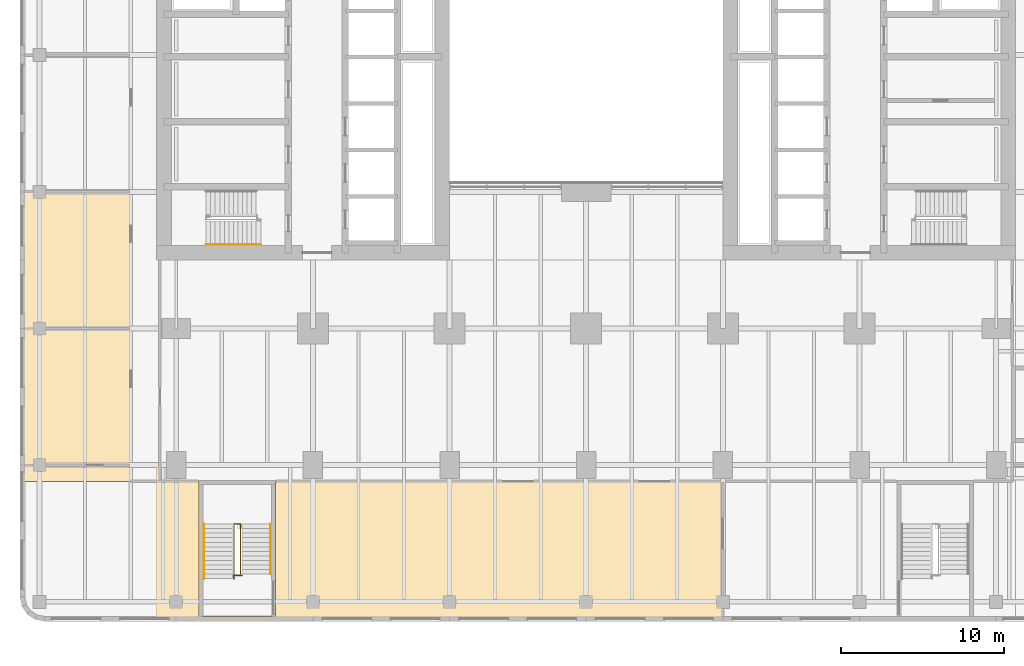
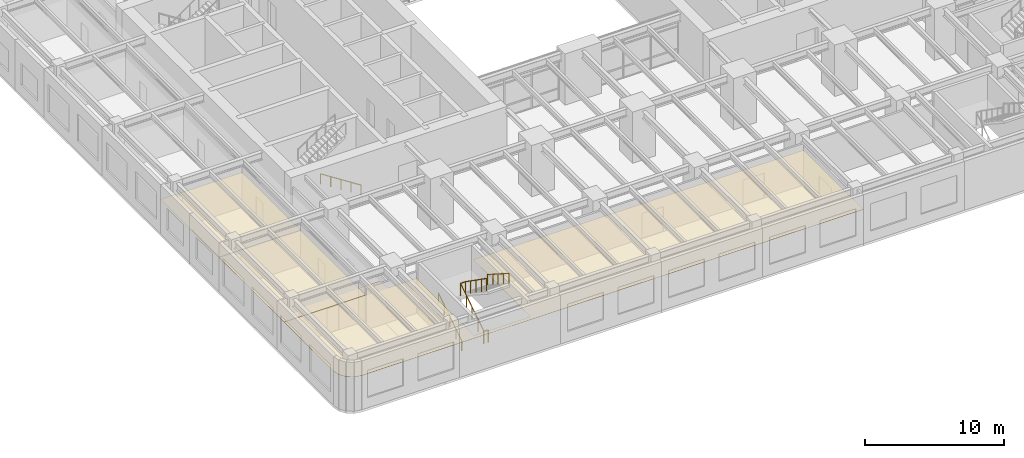
# One storey, part 17 of 26: 5 railings, 3 coverings.
"""IFC4 building model written with IfcOpenShell, lengths in metres."""

from ifc_helpers import new_model, si_unit, direction, frame, origin, origin_2d, place, context, subcontext, project, spatial, polyline, circle, outline, extrude, material, layer, layer_set, type_object, element, save


model = new_model("IFC4")

# Units and contexts
model_context = context("Model", 3, precision=1e-05, world=origin(), true_north=direction((0.0, 1.0)))
body_context = subcontext(model_context, "Body", "Model", "MODEL_VIEW")
ifc_project = project(units=[si_unit("LENGTHUNIT", "METRE"), si_unit("AREAUNIT", "SQUARE_METRE"), si_unit("VOLUMEUNIT", "CUBIC_METRE"), si_unit("PLANEANGLEUNIT", "RADIAN"), si_unit("MASSUNIT", "GRAM", prefix="KILO")], contexts=[model_context])

# Site, building, storey
site_placement = place(None, origin())
site = spatial("IfcSite", under=ifc_project, at=site_placement, CompositionType="ELEMENT")
building_placement = place(site_placement, origin())
building = spatial("IfcBuilding", under=site, at=building_placement, Name="Claustro Exchange Tower", CompositionType="ELEMENT")
storey_placement = place(building_placement, frame((0.0, 0.0, 9.89990234375)))
storey = spatial("IfcBuildingStorey", under=building, at=storey_placement, Name="L02", CompositionType="ELEMENT", Elevation=9.89990234375)

# Coverings
ifc_material_1 = material(Name="Gypsum board ceiling", Category="gypsum board")
ifc_layer = layer(ifc_material_1, 0.02490234375)
ifc_layer_set = layer_set([ifc_layer], Name="Gypsum board ceiling")
covering_type = type_object("IfcCoveringType", Name="CL2 plasterboard ceiling", PredefinedType="CEILING", material=ifc_layer_set)
covering_1_placement = place(storey_placement, frame((0.0, 0.0, 3.0)))
element("IfcCovering", 1, at=covering_1_placement, inside=storey, type_object=covering_type, Name="Ceiling CL2 L02-01", PredefinedType="CEILING", context=body_context, shape_type="SweptSolid", body=[
    extrude(outline(polyline([(-8.10009765625, -9.60009765625), (33.60009765625, -9.60009765625), (33.60009765625, -1.0), (6.10009765625, -1.0), (6.10009765625, -9.280029296875), (1.39990234375, -9.280029296875), (1.39990234375, -1.0), (-1.0, -1.0), (-1.0, 0.0), (-2.800048828125, 0.0), (-2.800048828125, -1.0), (-9.60009765625, -1.0), (-9.60009765625, -8.10009765625), (-9.48583984375, -8.674072265625), (-9.16064453125, -9.16064453125), (-8.674072265625, -9.48583984375), (-8.10009765625, -9.60009765625)])), origin(), (0.0, 0.0, 1.0), 0.025146484375),
])
covering_2_placement = place(storey_placement, frame((0.0, 0.0, 3.0)))
element("IfcCovering", 2, at=covering_2_placement, inside=storey, type_object=covering_type, Name="Ceiling CL2 L02-05", PredefinedType="CEILING", context=body_context, shape_type="SweptSolid", body=[
    extrude(outline(polyline([(-9.60009765625, 8.39990234375), (-9.60009765625, -1.0), (-2.800048828125, -1.0), (-2.800048828125, 8.39990234375), (-9.60009765625, 8.39990234375)])), origin(), (0.0, 0.0, 1.0), 0.025146484375),
])
covering_3_placement = place(storey_placement, frame((0.0, 0.0, 3.0)))
element("IfcCovering", 3, at=covering_3_placement, inside=storey, type_object=covering_type, Name="Ceiling CL2 L02-08", PredefinedType="CEILING", context=body_context, shape_type="SweptSolid", body=[
    extrude(outline(polyline([(-9.60009765625, 16.800048828125), (-9.60009765625, 8.39990234375), (-2.800048828125, 8.39990234375), (-2.800048828125, 16.800048828125), (-9.60009765625, 16.800048828125)])), origin(), (0.0, 0.0, 1.0), 0.025146484375),
])

# Railings
ifc_material_2 = material(Name="Steel balustrade, painted", Category="steel")
railing_type_1 = type_object("IfcRailingType", Name="GR2 1100 steel stair guard", PredefinedType="GUARDRAIL", material=ifc_material_2)
railing_1_placement = place(storey_placement, frame((3.550048828125, -6.97998046875, 0.18017578125)))
element("IfcRailing", 4, at=railing_1_placement, inside=storey, type_object=railing_type_1, Name="Stair well guard GR2 stair STP1 L02", PredefinedType="GUARDRAIL", context=body_context, shape_type="SweptSolid", body=[
    extrude(circle(Radius=0.02392578125, at=origin_2d()), frame((0.0, 0.0, 1.076171875), z_axis=(0.0, 0.841178475377, 0.540757591313), x_axis=(-1.0, 0.0, 0.0)), (0.0, 0.0, 1.0), 3.994140625),
    extrude(circle(Radius=0.02392578125, at=origin_2d()), frame((0.0, 3.35986328125, 3.23583984375), z_axis=(1.0, 0.0, 0.0), x_axis=(0.0, 1.0, 0.0)), (0.0, 0.0, 1.0), 0.39990234375),
    extrude(circle(Radius=0.02392578125, at=origin_2d()), frame((0.39990234375, 3.35986328125, 3.23583984375), z_axis=(0.0, -0.818728512145, 0.574180828137), x_axis=(1.0, 0.0, 0.0)), (0.0, 0.0, 1.0), 3.76171875),
    extrude(circle(Radius=0.02099609375, at=origin_2d()), origin(), (0.0, 0.0, 1.0), 1.052001953125),
    extrude(circle(Radius=0.02099609375, at=origin_2d()), frame((0.0, 0.83984375, 0.5400390625)), (0.0, 0.0, 1.0), 1.052001953125),
    extrude(circle(Radius=0.02099609375, at=origin_2d()), frame((0.0, 1.679931640625, 1.080078125)), (0.0, 0.0, 1.0), 1.052001953125),
    extrude(circle(Radius=0.02099609375, at=origin_2d()), frame((0.0, 2.52001953125, 1.619873046875)), (0.0, 0.0, 1.0), 1.052001953125),
    extrude(circle(Radius=0.02099609375, at=origin_2d()), frame((0.0, 3.35986328125, 2.159912109375)), (0.0, 0.0, 1.0), 1.052001953125),
    extrude(circle(Radius=0.02099609375, at=origin_2d()), frame((0.39990234375, 3.35986328125, 2.159912109375)), (0.0, 0.0, 1.0), 1.052001953125),
    extrude(circle(Radius=0.02099609375, at=origin_2d()), frame((0.39990234375, 2.58984375, 2.699951171875)), (0.0, 0.0, 1.0), 1.052001953125),
    extrude(circle(Radius=0.02099609375, at=origin_2d()), frame((0.39990234375, 1.81982421875, 3.23974609375)), (0.0, 0.0, 1.0), 1.052001953125),
    extrude(circle(Radius=0.02099609375, at=origin_2d()), frame((0.39990234375, 1.050048828125, 3.77978515625)), (0.0, 0.0, 1.0), 1.052001953125),
    extrude(circle(Radius=0.02099609375, at=origin_2d()), frame((0.39990234375, 0.280029296875, 4.31982421875)), (0.0, 0.0, 1.0), 1.052001953125),
])
railing_2_placement = place(storey_placement, frame((3.6201171875, -6.780029296875, 0.0)))
element("IfcRailing", 5, at=railing_2_placement, inside=storey, type_object=railing_type_1, Name="Stair guard GR2 STP1 L02", PredefinedType="GUARDRAIL", context=body_context, shape_type="SweptSolid", body=[
    extrude(circle(Radius=0.02392578125, at=origin_2d()), frame((0.0, 0.0, 1.076171875), z_axis=(1.0, 0.0, 0.0), x_axis=(0.0, 1.0, 0.0)), (0.0, 0.0, 1.0), 0.409912109375),
    extrude(circle(Radius=0.02099609375, at=origin_2d()), origin(), (0.0, 0.0, 1.0), 1.052001953125),
    extrude(circle(Radius=0.02099609375, at=origin_2d()), frame((0.409912109375, 0.0, 0.0)), (0.0, 0.0, 1.0), 1.052001953125),
])
ifc_material_3 = material(Name="Stainless steel tube", Category="steel")
railing_type_2 = type_object("IfcRailingType", Name="HR1 900 stair handrail", PredefinedType="HANDRAIL", material=ifc_material_3)
railing_3_placement = place(storey_placement, frame((5.199951171875, 13.56005859375, 0.18017578125)))
element("IfcRailing", 6, at=railing_3_placement, inside=storey, type_object=railing_type_2, Name="Handrail HR1 stair STWA L02", PredefinedType="HANDRAIL", context=body_context, shape_type="SweptSolid", body=[
    extrude(circle(Radius=0.02392578125, at=origin_2d()), frame((0.0, 0.0, 0.8759765625), z_axis=(-0.841178475377, 0.0, 0.540757591313), x_axis=(0.0, -1.0, 0.0)), (0.0, 0.0, 1.0), 3.994140625),
    extrude(circle(Radius=0.02099609375, at=origin_2d()), origin(), (0.0, 0.0, 1.0), 0.851806640625),
    extrude(circle(Radius=0.02099609375, at=origin_2d()), frame((-0.83984375, 0.0, 0.5400390625)), (0.0, 0.0, 1.0), 0.851806640625),
    extrude(circle(Radius=0.02099609375, at=origin_2d()), frame((-1.679931640625, 0.0, 1.080078125)), (0.0, 0.0, 1.0), 0.851806640625),
    extrude(circle(Radius=0.02099609375, at=origin_2d()), frame((-2.52001953125, 0.0, 1.619873046875)), (0.0, 0.0, 1.0), 0.851806640625),
    extrude(circle(Radius=0.02099609375, at=origin_2d()), frame((-3.35986328125, 0.0, 2.159912109375)), (0.0, 0.0, 1.0), 0.851806640625),
])
railing_4_placement = place(storey_placement, frame((1.7099609375, -6.97998046875, 0.18017578125)))
element("IfcRailing", 7, at=railing_4_placement, inside=storey, type_object=railing_type_2, Name="Handrail HR1 stair STP1 L02", PredefinedType="HANDRAIL", context=body_context, shape_type="SweptSolid", body=[
    extrude(circle(Radius=0.02392578125, at=origin_2d()), frame((0.0, 0.0, 0.8759765625), z_axis=(0.0, 0.841178475377, 0.540757591313), x_axis=(-1.0, 0.0, 0.0)), (0.0, 0.0, 1.0), 3.994140625),
    extrude(circle(Radius=0.02099609375, at=origin_2d()), origin(), (0.0, 0.0, 1.0), 0.851806640625),
    extrude(circle(Radius=0.02099609375, at=origin_2d()), frame((0.0, 0.83984375, 0.5400390625)), (0.0, 0.0, 1.0), 0.851806640625),
    extrude(circle(Radius=0.02099609375, at=origin_2d()), frame((0.0, 1.679931640625, 1.080078125)), (0.0, 0.0, 1.0), 0.851806640625),
    extrude(circle(Radius=0.02099609375, at=origin_2d()), frame((0.0, 2.52001953125, 1.619873046875)), (0.0, 0.0, 1.0), 0.851806640625),
    extrude(circle(Radius=0.02099609375, at=origin_2d()), frame((0.0, 3.35986328125, 2.159912109375)), (0.0, 0.0, 1.0), 0.851806640625),
])
railing_5_placement = place(storey_placement, frame((5.7900390625, -3.6201171875, 2.52001953125)))
element("IfcRailing", 8, at=railing_5_placement, inside=storey, type_object=railing_type_2, Name="Handrail HR1 stair STP1 L02", PredefinedType="HANDRAIL", context=body_context, shape_type="SweptSolid", body=[
    extrude(circle(Radius=0.02392578125, at=origin_2d()), frame((0.0, 0.0, 0.8759765625), z_axis=(0.0, -0.841167642724, 0.540774441735), x_axis=(1.0, 0.0, 0.0)), (0.0, 0.0, 1.0), 3.661376953125),
    extrude(circle(Radius=0.02099609375, at=origin_2d()), origin(), (0.0, 0.0, 1.0), 0.851806640625),
    extrude(circle(Radius=0.02099609375, at=origin_2d()), frame((0.0, -0.77001953125, 0.4951171875)), (0.0, 0.0, 1.0), 0.851806640625),
    extrude(circle(Radius=0.02099609375, at=origin_2d()), frame((0.0, -1.5400390625, 0.989990234375)), (0.0, 0.0, 1.0), 0.851806640625),
    extrude(circle(Radius=0.02099609375, at=origin_2d()), frame((0.0, -2.309814453125, 1.48486328125)), (0.0, 0.0, 1.0), 0.851806640625),
    extrude(circle(Radius=0.02099609375, at=origin_2d()), frame((0.0, -3.079833984375, 1.97998046875)), (0.0, 0.0, 1.0), 0.851806640625),
])

save(model, "model.ifc")
